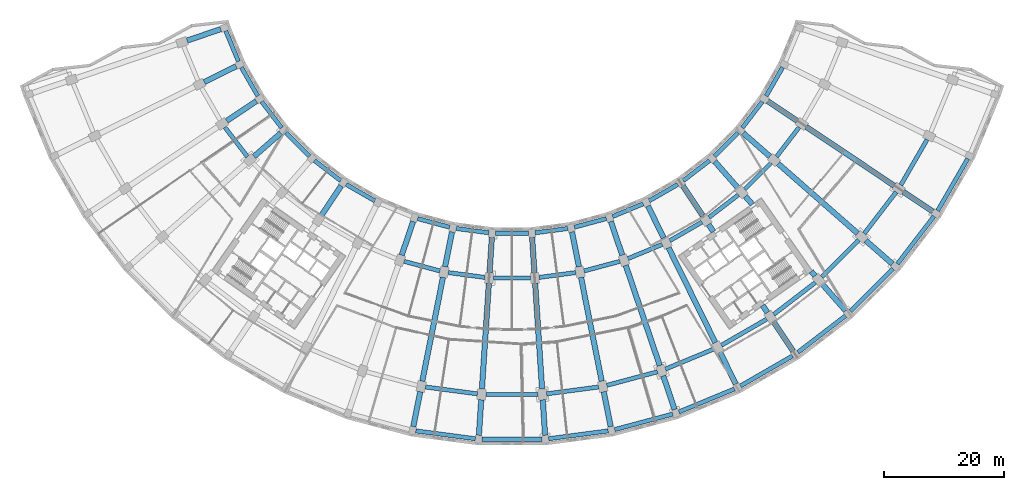
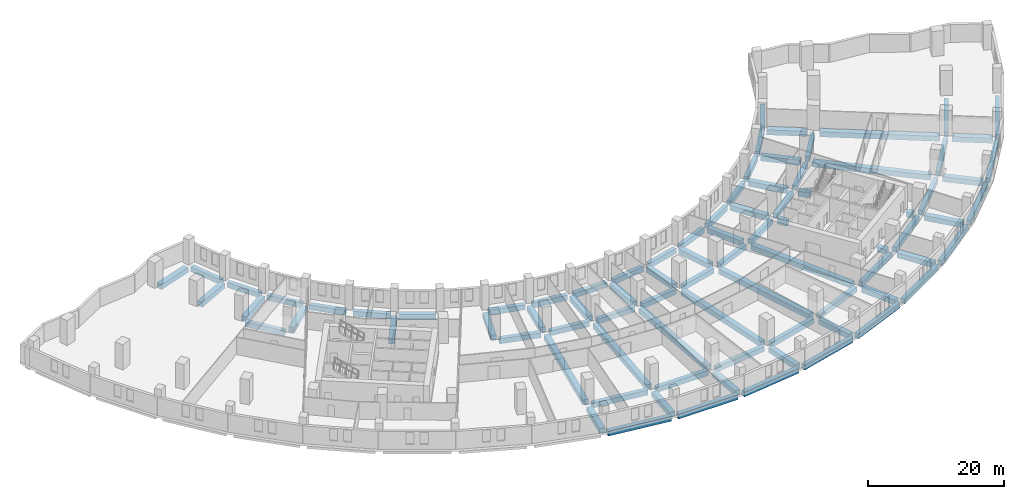
# One storey, part 2 of 19: 86 beams.
"""IFC4 building model written with IfcOpenShell, lengths in metres."""

from ifc_helpers import new_model, si_unit, direction, frame, origin, origin_2d, place, context, subcontext, project, spatial, rectangle, extrude, material, material_profile, profile_set, type_object, element, save


model = new_model("IFC4")

# Units and contexts
model_context = context("Model", 3, precision=1e-05, world=origin(), true_north=direction((0.0, 1.0)))
body_context = subcontext(model_context, "Body", "Model", "MODEL_VIEW")
ifc_project = project(units=[si_unit("LENGTHUNIT", "METRE"), si_unit("AREAUNIT", "SQUARE_METRE"), si_unit("VOLUMEUNIT", "CUBIC_METRE"), si_unit("PLANEANGLEUNIT", "RADIAN"), si_unit("MASSUNIT", "GRAM", prefix="KILO")], contexts=[model_context])

# Site, building, storey
site_placement = place(None, origin())
site = spatial("IfcSite", under=ifc_project, at=site_placement, CompositionType="ELEMENT")
building_placement = place(site_placement, origin())
building = spatial("IfcBuilding", under=site, at=building_placement, Name="Qamariyya Broadcast Tower", CompositionType="ELEMENT")
storey_placement = place(building_placement, frame((0.0, 0.0, 36.0)))
storey = spatial("IfcBuildingStorey", under=building, at=storey_placement, Name="L05", CompositionType="ELEMENT", Elevation=36.0)

# Beams
ifc_material = material(Name="Concrete C50/60", Category="concrete")
ifc_material_profile_1 = material_profile(ifc_material, rectangle(XDim=0.699951171875, YDim=0.89990234375, at=origin_2d()))
ifc_profile_set_1 = profile_set([ifc_material_profile_1], Name="Concrete C50/60")
beam_type_1 = type_object("IfcBeamType", Name="RC edge beam 700 x 900 C50/60", PredefinedType="SPANDREL", material=ifc_profile_set_1)
beam_1_placement = place(storey_placement, frame((-47.845703125, -16.822265625, -0.85009765625), z_axis=(0.382654292645, -0.92389160204, 0.0), x_axis=(0.92389160204, 0.382654292645, 0.0)))
element("IfcBeam", 1, at=beam_1_placement, inside=storey, type_object=beam_type_1, Name="Edge beam B2 L05 A R01-R02", PredefinedType="SPANDREL", context=body_context, shape_type="SweptSolid", body=[
    extrude(rectangle(XDim=0.699951171875, YDim=0.89990234375, at=origin_2d()), origin(), (0.0, 0.0, 1.0), 5.5361328125),
])
for number, where, z_axis, x_axis, name in (
    (2, (-45.24072265625, -22.923583984375, -0.85009765625), (0.500018944545, -0.86601446587, 0.0), (0.86601446587, 0.500018944545, 0.0), "Edge beam B2 L05 A R02-R03"),
    (3, (-41.861572265625, -28.632568359375, -0.85009765625), (0.60877682934, -0.793341522964, 0.0), (0.793341522964, 0.60877682934, 0.0), "Edge beam B2 L05 A R03-R04"),
):
    element("IfcBeam", number, at=place(storey_placement, frame(where, z_axis=z_axis, x_axis=x_axis)), inside=storey, type_object=beam_type_1, Name=name, PredefinedType="SPANDREL", context=body_context, shape_type="SweptSolid", body=[
        extrude(rectangle(XDim=0.699951171875, YDim=0.89990234375, at=origin_2d()), origin(), (0.0, 0.0, 1.0), 5.535888671875),
    ])
beam_2_placement = place(storey_placement, frame((-37.76611328125, -33.8515625, -0.85009765625), z_axis=(0.707106781187, -0.707106781187, 0.0), x_axis=(0.707106781187, 0.707106781187, 0.0)))
element("IfcBeam", 4, at=beam_2_placement, inside=storey, type_object=beam_type_1, Name="Edge beam B2 L05 A R04-R05", PredefinedType="SPANDREL", context=body_context, shape_type="SweptSolid", body=[
    extrude(rectangle(XDim=0.699951171875, YDim=0.89990234375, at=origin_2d()), origin(), (0.0, 0.0, 1.0), 5.5361328125),
])
for number, where, z_axis, x_axis, name in (
    (5, (-33.0244140625, -38.491455078125, -0.85009765625), (0.793341522964, -0.60877682934, 0.0), (0.60877682934, 0.793341522964, 0.0), "Edge beam B2 L05 A R05-R06"),
    (6, (-27.7177734375, -42.47265625, -0.85009765625), (0.86601446587, -0.500018944545, 0.0), (0.500018944545, 0.86601446587, 0.0), "Edge beam B2 L05 A R06-R07"),
    (7, (-15.78076171875, -48.199462890625, -0.85009765625), (0.965935650788, -0.25878237679, 0.0), (0.25878237679, 0.965935650788, 0.0), "Edge beam B2 L05 A R08-R09"),
    (8, (-9.354248046875, -49.8466796875, -0.85009765625), (0.991443033841, -0.130540072958, 0.0), (0.130540072958, 0.991443033841, 0.0), "Edge beam B2 L05 A R09-R10"),
):
    element("IfcBeam", number, at=place(storey_placement, frame(where, z_axis=z_axis, x_axis=x_axis)), inside=storey, type_object=beam_type_1, Name=name, PredefinedType="SPANDREL", context=body_context, shape_type="SweptSolid", body=[
        extrude(rectangle(XDim=0.699951171875, YDim=0.89990234375, at=origin_2d()), origin(), (0.0, 0.0, 1.0), 5.535888671875),
    ])
beam_3_placement = place(storey_placement, frame((-2.76806640625, -50.641357421875, -0.85009765625), z_axis=(1.0, 0.0, 0.0), x_axis=(0.0, 1.0, 0.0)))
element("IfcBeam", 9, at=beam_3_placement, inside=storey, type_object=beam_type_1, Name="Edge beam B2 L05 A R10-R11", PredefinedType="SPANDREL", context=body_context, shape_type="SweptSolid", body=[
    extrude(rectangle(XDim=0.699951171875, YDim=0.89990234375, at=origin_2d()), origin(), (0.0, 0.0, 1.0), 5.5361328125),
])
for number, where, z_axis, x_axis, name in (
    (10, (3.86572265625, -50.5693359375, -0.85009765625), (0.991443033841, 0.130540072958, 0.0), (-0.130540072958, 0.991443033841, 0.0), "Edge beam B2 L05 A R11-R12"),
    (11, (10.433349609375, -49.632080078125, -0.85009765625), (0.965935650788, 0.25878237679, 0.0), (-0.25878237679, 0.965935650788, 0.0), "Edge beam B2 L05 A R12-R13"),
):
    element("IfcBeam", number, at=place(storey_placement, frame(where, z_axis=z_axis, x_axis=x_axis)), inside=storey, type_object=beam_type_1, Name=name, PredefinedType="SPANDREL", context=body_context, shape_type="SweptSolid", body=[
        extrude(rectangle(XDim=0.699951171875, YDim=0.89990234375, at=origin_2d()), origin(), (0.0, 0.0, 1.0), 5.535888671875),
    ])
beam_4_placement = place(storey_placement, frame((16.822265625, -47.845703125, -0.85009765625), z_axis=(0.92389160204, 0.382654292645, 0.0), x_axis=(-0.382654292645, 0.92389160204, 0.0)))
element("IfcBeam", 12, at=beam_4_placement, inside=storey, type_object=beam_type_1, Name="Edge beam B2 L05 A R13-R14", PredefinedType="SPANDREL", context=body_context, shape_type="SweptSolid", body=[
    extrude(rectangle(XDim=0.699951171875, YDim=0.89990234375, at=origin_2d()), origin(), (0.0, 0.0, 1.0), 5.5361328125),
])
for number, where, z_axis, x_axis, name in (
    (13, (22.923583984375, -45.24072265625, -0.85009765625), (0.86601446587, 0.500018944545, 0.0), (-0.500018944545, 0.86601446587, 0.0), "Edge beam B2 L05 A R14-R15"),
    (14, (28.632568359375, -41.861572265625, -0.85009765625), (0.793341522964, 0.60877682934, 0.0), (-0.60877682934, 0.793341522964, 0.0), "Edge beam B2 L05 A R15-R16"),
):
    element("IfcBeam", number, at=place(storey_placement, frame(where, z_axis=z_axis, x_axis=x_axis)), inside=storey, type_object=beam_type_1, Name=name, PredefinedType="SPANDREL", context=body_context, shape_type="SweptSolid", body=[
        extrude(rectangle(XDim=0.699951171875, YDim=0.89990234375, at=origin_2d()), origin(), (0.0, 0.0, 1.0), 5.535888671875),
    ])
beam_5_placement = place(storey_placement, frame((33.8515625, -37.76611328125, -0.85009765625), z_axis=(0.707106781187, 0.707106781187, 0.0), x_axis=(-0.707106781187, 0.707106781187, 0.0)))
element("IfcBeam", 15, at=beam_5_placement, inside=storey, type_object=beam_type_1, Name="Edge beam B2 L05 A R16-R17", PredefinedType="SPANDREL", context=body_context, shape_type="SweptSolid", body=[
    extrude(rectangle(XDim=0.699951171875, YDim=0.89990234375, at=origin_2d()), origin(), (0.0, 0.0, 1.0), 5.5361328125),
])
for number, where, z_axis, x_axis, name in (
    (16, (38.491455078125, -33.0244140625, -0.85009765625), (0.60877682934, 0.793341522964, 0.0), (-0.793341522964, 0.60877682934, 0.0), "Edge beam B2 L05 A R17-R18"),
    (17, (42.47265625, -27.7177734375, -0.85009765625), (0.500018944545, 0.86601446587, 0.0), (-0.86601446587, 0.500018944545, 0.0), "Edge beam B2 L05 A R18-R19"),
):
    element("IfcBeam", number, at=place(storey_placement, frame(where, z_axis=z_axis, x_axis=x_axis)), inside=storey, type_object=beam_type_1, Name=name, PredefinedType="SPANDREL", context=body_context, shape_type="SweptSolid", body=[
        extrude(rectangle(XDim=0.699951171875, YDim=0.89990234375, at=origin_2d()), origin(), (0.0, 0.0, 1.0), 5.535888671875),
    ])
for number, where, z_axis, x_axis, name in (
    (18, (-48.006103515625, -32.91845703125, -0.85009765625), (0.608767052878, -0.793349024913, 0.0), (0.793349024913, 0.608767052878, 0.0), "Edge beam B2 L05 B R03-R04"),
    (19, (-18.046142578125, -55.34033203125, -0.85009765625), (0.965927891917, -0.258811335952, 0.0), (0.258811335952, 0.965927891917, 0.0), "Edge beam B2 L05 B R08-R09"),
    (20, (-10.66845703125, -57.222412109375, -0.85009765625), (0.991447744331, -0.130504292114, 0.0), (0.130504292114, 0.991447744331, 0.0), "Edge beam B2 L05 B R09-R10"),
):
    element("IfcBeam", number, at=place(storey_placement, frame(where, z_axis=z_axis, x_axis=x_axis)), inside=storey, type_object=beam_type_1, Name=name, PredefinedType="SPANDREL", context=body_context, shape_type="SweptSolid", body=[
        extrude(rectangle(XDim=0.699951171875, YDim=0.89990234375, at=origin_2d()), origin(), (0.0, 0.0, 1.0), 6.216552734375),
    ])
beam_6_placement = place(storey_placement, frame((-3.108154296875, -58.125244140625, -0.85009765625), z_axis=(1.0, 0.0, 0.0), x_axis=(0.0, 1.0, 0.0)))
element("IfcBeam", 21, at=beam_6_placement, inside=storey, type_object=beam_type_1, Name="Edge beam B2 L05 B R10-R11", PredefinedType="SPANDREL", context=body_context, shape_type="SweptSolid", body=[
    extrude(rectangle(XDim=0.699951171875, YDim=0.89990234375, at=origin_2d()), origin(), (0.0, 0.0, 1.0), 6.21630859375),
])
for number, where, z_axis, x_axis, name in (
    (22, (4.505126953125, -58.03369140625, -0.85009765625), (0.991447744331, 0.130504292114, 0.0), (-0.130504292114, 0.991447744331, 0.0), "Edge beam B2 L05 B R11-R12"),
    (23, (12.04150390625, -56.94921875, -0.85009765625), (0.965927891917, 0.258811335952, 0.0), (-0.258811335952, 0.965927891917, 0.0), "Edge beam B2 L05 B R12-R13"),
):
    element("IfcBeam", number, at=place(storey_placement, frame(where, z_axis=z_axis, x_axis=x_axis)), inside=storey, type_object=beam_type_1, Name=name, PredefinedType="SPANDREL", context=body_context, shape_type="SweptSolid", body=[
        extrude(rectangle(XDim=0.699951171875, YDim=0.89990234375, at=origin_2d()), origin(), (0.0, 0.0, 1.0), 6.216552734375),
    ])
for number, where, z_axis, x_axis, name in (
    (24, (19.3720703125, -54.89013671875, -0.85009765625), (0.92387897489, 0.38268477858, 0.0), (-0.38268477858, 0.92387897489, 0.0), "Edge beam B2 L05 B R13-R14"),
    (25, (26.370849609375, -51.89208984375, -0.85009765625), (0.86602796805, 0.499995558535, 0.0), (-0.499995558535, 0.86602796805, 0.0), "Edge beam B2 L05 B R14-R15"),
):
    element("IfcBeam", number, at=place(storey_placement, frame(where, z_axis=z_axis, x_axis=x_axis)), inside=storey, type_object=beam_type_1, Name=name, PredefinedType="SPANDREL", context=body_context, shape_type="SweptSolid", body=[
        extrude(rectangle(XDim=0.699951171875, YDim=0.89990234375, at=origin_2d()), origin(), (0.0, 0.0, 1.0), 6.21630859375),
    ])
for number, where, z_axis, x_axis, name in (
    (26, (32.91845703125, -48.006103515625, -0.85009765625), (0.793349024913, 0.608767052878, 0.0), (-0.608767052878, 0.793349024913, 0.0), "Edge beam B2 L05 B R15-R16"),
    (27, (38.90283203125, -43.298583984375, -0.85009765625), (0.707106781187, 0.707106781187, 0.0), (-0.707106781187, 0.707106781187, 0.0), "Edge beam B2 L05 B R16-R17"),
    (28, (44.2216796875, -37.850341796875, -0.85009765625), (0.608767052878, 0.793349024913, 0.0), (-0.793349024913, 0.608767052878, 0.0), "Edge beam B2 L05 B R17-R18"),
):
    element("IfcBeam", number, at=place(storey_placement, frame(where, z_axis=z_axis, x_axis=x_axis)), inside=storey, type_object=beam_type_1, Name=name, PredefinedType="SPANDREL", context=body_context, shape_type="SweptSolid", body=[
        extrude(rectangle(XDim=0.699951171875, YDim=0.89990234375, at=origin_2d()), origin(), (0.0, 0.0, 1.0), 6.216552734375),
    ])
for number, where, z_axis, x_axis, name in (
    (29, (-14.47265625, -76.34765625, -0.85009765625), (0.991445668121, -0.130520064222, 0.0), (0.130520064222, 0.991445668121, 0.0), "Edge beam B2 L05 C R09-R10"),
    (30, (-4.383544921875, -77.58349609375, -0.85009765625), (1.0, 0.0, 0.0), (0.0, 1.0, 0.0), "Edge beam B2 L05 C R10-R11"),
    (31, (5.780517578125, -77.491943359375, -0.85009765625), (0.991445668121, 0.130520064222, 0.0), (-0.130520064222, 0.991445668121, 0.0), "Edge beam B2 L05 C R11-R12"),
    (32, (15.845947265625, -76.074462890625, -0.85009765625), (0.965926422845, 0.258816818714, 0.0), (-0.258816818714, 0.965926422845, 0.0), "Edge beam B2 L05 C R12-R13"),
    (33, (25.64013671875, -73.35546875, -0.85009765625), (0.923869185896, 0.38270841035, 0.0), (-0.38270841035, 0.923869185896, 0.0), "Edge beam B2 L05 C R13-R14"),
):
    element("IfcBeam", number, at=place(storey_placement, frame(where, z_axis=z_axis, x_axis=x_axis)), inside=storey, type_object=beam_type_1, Name=name, PredefinedType="SPANDREL", context=body_context, shape_type="SweptSolid", body=[
        extrude(rectangle(XDim=0.699951171875, YDim=0.89990234375, at=origin_2d()), origin(), (0.0, 0.0, 1.0), 8.76708984375),
    ])
beam_7_placement = place(storey_placement, frame((34.995361328125, -69.381103515625, -0.85009765625), z_axis=(0.86603255856, 0.499987607361, 0.0), x_axis=(-0.499987607361, 0.86603255856, 0.0)))
element("IfcBeam", 34, at=beam_7_placement, inside=storey, type_object=beam_type_1, Name="Edge beam B2 L05 C R14-R15", PredefinedType="SPANDREL", context=body_context, shape_type="SweptSolid", body=[
    extrude(rectangle(XDim=0.699951171875, YDim=0.89990234375, at=origin_2d()), origin(), (0.0, 0.0, 1.0), 8.767333984375),
])
for number, where, z_axis, x_axis, name in (
    (35, (43.752197265625, -64.2197265625, -0.85009765625), (0.79334498231, 0.608772321187, 0.0), (-0.608772321187, 0.79334498231, 0.0), "Edge beam B2 L05 C R15-R16"),
    (36, (51.76025390625, -57.95947265625, -0.85009765625), (0.707106781187, 0.707106781187, 0.0), (-0.707106781187, 0.707106781187, 0.0), "Edge beam B2 L05 C R16-R17"),
    (37, (58.882568359375, -50.70751953125, -0.85009765625), (0.608772321187, 0.79334498231, 0.0), (-0.79334498231, 0.608772321187, 0.0), "Edge beam B2 L05 C R17-R18"),
):
    element("IfcBeam", number, at=place(storey_placement, frame(where, z_axis=z_axis, x_axis=x_axis)), inside=storey, type_object=beam_type_1, Name=name, PredefinedType="SPANDREL", context=body_context, shape_type="SweptSolid", body=[
        extrude(rectangle(XDim=0.699951171875, YDim=0.89990234375, at=origin_2d()), origin(), (0.0, 0.0, 1.0), 8.76708984375),
    ])
beam_8_placement = place(storey_placement, frame((64.99755859375, -42.588134765625, -0.85009765625), z_axis=(0.499987607361, 0.86603255856, 0.0), x_axis=(-0.86603255856, 0.499987607361, 0.0)))
element("IfcBeam", 38, at=beam_8_placement, inside=storey, type_object=beam_type_1, Name="Edge beam B2 L05 C R18-R19", PredefinedType="SPANDREL", context=body_context, shape_type="SweptSolid", body=[
    extrude(rectangle(XDim=0.699951171875, YDim=0.89990234375, at=origin_2d()), origin(), (0.0, 0.0, 1.0), 8.767333984375),
])
for number, where, z_axis, x_axis, name in (
    (39, (-16.0849609375, -83.683837890625, -0.85009765625), (0.991443211053, -0.130538727039, 0.0), (0.130538727039, 0.991443211053, 0.0), "Edge beam B2 L05 D R09-R10"),
    (40, (-5.0244140625, -85.0673828125, -0.85009765625), (1.0, 0.0, 0.0), (0.0, 1.0, 0.0), "Edge beam B2 L05 D R10-R11"),
    (41, (6.1220703125, -84.99560546875, -0.85009765625), (0.991443211053, 0.130538727039, 0.0), (-0.130538727039, 0.991443211053, 0.0), "Edge beam B2 L05 D R11-R12"),
    (42, (17.163818359375, -83.46923828125, -0.85009765625), (0.96592657939, 0.258816234475, 0.0), (-0.258816234475, 0.96592657939, 0.0), "Edge beam B2 L05 D R12-R13"),
    (43, (27.911865234375, -80.514892578125, -0.85009765625), (0.923882101991, 0.382677229034, 0.0), (-0.382677229034, 0.923882101991, 0.0), "Edge beam B2 L05 D R13-R14"),
    (44, (38.182373046875, -76.182861328125, -0.85009765625), (0.866027799164, 0.499995851058, 0.0), (-0.499995851058, 0.866027799164, 0.0), "Edge beam B2 L05 D R14-R15"),
):
    element("IfcBeam", number, at=place(storey_placement, frame(where, z_axis=z_axis, x_axis=x_axis)), inside=storey, type_object=beam_type_1, Name=name, PredefinedType="SPANDREL", context=body_context, shape_type="SweptSolid", body=[
        extrude(rectangle(XDim=0.699951171875, YDim=0.89990234375, at=origin_2d()), origin(), (0.0, 0.0, 1.0), 10.048828125),
    ])
for number, where, z_axis, x_axis, name in (
    (45, (47.799560546875, -70.54736328125, -0.85009765625), (0.793354077072, 0.608760468816, 0.0), (-0.608760468816, 0.793354077072, 0.0), "Edge beam B2 L05 D R15-R16"),
    (46, (56.598876953125, -63.70458984375, -0.85009765625), (0.707106781187, 0.707106781187, 0.0), (-0.707106781187, 0.707106781187, 0.0), "Edge beam B2 L05 D R16-R17"),
    (47, (64.429931640625, -55.77197265625, -0.85009765625), (0.608760468816, 0.793354077072, 0.0), (-0.793354077072, 0.608760468816, 0.0), "Edge beam B2 L05 D R17-R18"),
):
    element("IfcBeam", number, at=place(storey_placement, frame(where, z_axis=z_axis, x_axis=x_axis)), inside=storey, type_object=beam_type_1, Name=name, PredefinedType="SPANDREL", context=body_context, shape_type="SweptSolid", body=[
        extrude(rectangle(XDim=0.699951171875, YDim=0.89990234375, at=origin_2d()), origin(), (0.0, 0.0, 1.0), 10.049072265625),
    ])
beam_9_placement = place(storey_placement, frame((71.158447265625, -46.885009765625, -0.85009765625), z_axis=(0.499995851058, 0.866027799164, 0.0), x_axis=(-0.866027799164, 0.499995851058, 0.0)))
element("IfcBeam", 48, at=beam_9_placement, inside=storey, type_object=beam_type_1, Name="Edge beam B2 L05 D R18-R19", PredefinedType="SPANDREL", context=body_context, shape_type="SweptSolid", body=[
    extrude(rectangle(XDim=0.699951171875, YDim=0.89990234375, at=origin_2d()), origin(), (0.0, 0.0, 1.0), 10.048828125),
])
ifc_material_profile_2 = material_profile(ifc_material, rectangle(XDim=0.89990234375, YDim=0.89990234375, at=origin_2d()))
ifc_profile_set_2 = profile_set([ifc_material_profile_2], Name="Concrete C50/60")
beam_type_2 = type_object("IfcBeamType", Name="RC radial beam 900 x 900 C50/60", PredefinedType="BEAM", material=ifc_profile_set_2)
beam_10_placement = place(storey_placement, frame((-48.672119140625, -16.52197265625, -0.85009765625), z_axis=(-0.946929197619, -0.32144221051, 0.0), x_axis=(0.32144221051, -0.946929197619, 0.0)))
element("IfcBeam", 49, at=beam_10_placement, inside=storey, type_object=beam_type_2, Name="Radial beam B1 L05 R01 A-B", PredefinedType="BEAM", context=body_context, shape_type="SweptSolid", body=[
    extrude(rectangle(XDim=0.89990234375, YDim=0.89990234375, at=origin_2d()), origin(), (0.0, 0.0, 1.0), 5.949951171875),
])
beam_11_placement = place(storey_placement, frame((-46.099365234375, -22.733642578125, -0.85009765625), z_axis=(-0.896867525941, -0.442299266236, 0.0), x_axis=(0.442299266236, -0.896867525941, 0.0)))
element("IfcBeam", 50, at=beam_11_placement, inside=storey, type_object=beam_type_2, Name="Radial beam B1 L05 R02 A-B", PredefinedType="BEAM", context=body_context, shape_type="SweptSolid", body=[
    extrude(rectangle(XDim=0.89990234375, YDim=0.89990234375, at=origin_2d()), origin(), (0.0, 0.0, 1.0), 5.94970703125),
])
for number, where, z_axis, x_axis, name in (
    (51, (-42.737548828125, -28.556396484375, -0.85009765625), (-0.831469080044, -0.555571029599, 0.0), (0.555571029599, -0.831469080044, 0.0), "Radial beam B1 L05 R03 A-B"),
    (52, (-38.64453125, -33.890380859375, -0.85009765625), (-0.751836547498, -0.659349532377, 0.0), (0.659349532377, -0.751836547498, 0.0), "Radial beam B1 L05 R04 A-B"),
    (53, (-28.556396484375, -42.737548828125, -0.85009765625), (-0.555571029599, -0.831469080044, 0.0), (0.831469080044, -0.555571029599, 0.0), "Radial beam B1 L05 R06 A-B"),
    (54, (-16.52197265625, -48.672119140625, -0.85009765625), (-0.32144221051, -0.946929197619, 0.0), (0.946929197619, -0.32144221051, 0.0), "Radial beam B1 L05 R08 A-B"),
    (55, (-10.027587890625, -50.412353515625, -0.85009765625), (-0.195106018553, -0.980782158037, 0.0), (0.980782158037, -0.195106018553, 0.0), "Radial beam B1 L05 R09 A-B"),
):
    element("IfcBeam", number, at=place(storey_placement, frame(where, z_axis=z_axis, x_axis=x_axis)), inside=storey, type_object=beam_type_2, Name=name, PredefinedType="BEAM", context=body_context, shape_type="SweptSolid", body=[
        extrude(rectangle(XDim=0.89990234375, YDim=0.89990234375, at=origin_2d()), origin(), (0.0, 0.0, 1.0), 5.949951171875),
    ])
beam_12_placement = place(storey_placement, frame((-11.53955078125, -58.013427734375, -0.85009765625), z_axis=(-0.195092142495, -0.980784918286, 0.0), x_axis=(0.980784918286, -0.195092142495, 0.0)))
element("IfcBeam", 56, at=beam_12_placement, inside=storey, type_object=beam_type_2, Name="Radial beam B1 L05 R09 B-C", PredefinedType="BEAM", context=body_context, shape_type="SweptSolid", body=[
    extrude(rectangle(XDim=0.89990234375, YDim=0.89990234375, at=origin_2d()), origin(), (0.0, 0.0, 1.0), 17.699951171875),
])
for number, where, z_axis, x_axis, name in (
    (57, (-15.34375, -77.138671875, -0.85009765625), (-0.195106018553, -0.980782158037, 0.0), (0.980782158037, -0.195106018553, 0.0), "Radial beam B1 L05 R09 C-D"),
    (58, (-3.36181640625, -51.2900390625, -0.85009765625), (-0.065405111908, -0.997858793285, 0.0), (0.997858793285, -0.065405111908, 0.0), "Radial beam B1 L05 R10 A-B"),
):
    element("IfcBeam", number, at=place(storey_placement, frame(where, z_axis=z_axis, x_axis=x_axis)), inside=storey, type_object=beam_type_2, Name=name, PredefinedType="BEAM", context=body_context, shape_type="SweptSolid", body=[
        extrude(rectangle(XDim=0.89990234375, YDim=0.89990234375, at=origin_2d()), origin(), (0.0, 0.0, 1.0), 5.949951171875),
    ])
beam_13_placement = place(storey_placement, frame((-3.86865234375, -59.0234375, -0.85009765625), z_axis=(-0.065393841107, -0.997859531971, 0.0), x_axis=(0.997859531971, -0.065393841107, 0.0)))
element("IfcBeam", 59, at=beam_13_placement, inside=storey, type_object=beam_type_2, Name="Radial beam B1 L05 R10 B-C", PredefinedType="BEAM", context=body_context, shape_type="SweptSolid", body=[
    extrude(rectangle(XDim=0.89990234375, YDim=0.89990234375, at=origin_2d()), origin(), (0.0, 0.0, 1.0), 17.699951171875),
])
for number, where, z_axis, x_axis, name in (
    (60, (-5.14404296875, -78.481689453125, -0.85009765625), (-0.065405111908, -0.997858793285, 0.0), (0.997858793285, -0.065405111908, 0.0), "Radial beam B1 L05 R10 C-D"),
    (61, (3.36181640625, -51.2900390625, -0.85009765625), (0.065405111908, -0.997858793285, 0.0), (0.997858793285, 0.065405111908, 0.0), "Radial beam B1 L05 R11 A-B"),
):
    element("IfcBeam", number, at=place(storey_placement, frame(where, z_axis=z_axis, x_axis=x_axis)), inside=storey, type_object=beam_type_2, Name=name, PredefinedType="BEAM", context=body_context, shape_type="SweptSolid", body=[
        extrude(rectangle(XDim=0.89990234375, YDim=0.89990234375, at=origin_2d()), origin(), (0.0, 0.0, 1.0), 5.949951171875),
    ])
beam_14_placement = place(storey_placement, frame((3.86865234375, -59.0234375, -0.85009765625), z_axis=(0.065393841107, -0.997859531971, 0.0), x_axis=(0.997859531971, 0.065393841107, 0.0)))
element("IfcBeam", 62, at=beam_14_placement, inside=storey, type_object=beam_type_2, Name="Radial beam B1 L05 R11 B-C", PredefinedType="BEAM", context=body_context, shape_type="SweptSolid", body=[
    extrude(rectangle(XDim=0.89990234375, YDim=0.89990234375, at=origin_2d()), origin(), (0.0, 0.0, 1.0), 17.699951171875),
])
for number, where, z_axis, x_axis, name in (
    (63, (5.14404296875, -78.481689453125, -0.85009765625), (0.065405111908, -0.997858793285, 0.0), (0.997858793285, 0.065405111908, 0.0), "Radial beam B1 L05 R11 C-D"),
    (64, (10.027587890625, -50.412353515625, -0.85009765625), (0.195106018553, -0.980782158037, 0.0), (0.980782158037, 0.195106018553, 0.0), "Radial beam B1 L05 R12 A-B"),
):
    element("IfcBeam", number, at=place(storey_placement, frame(where, z_axis=z_axis, x_axis=x_axis)), inside=storey, type_object=beam_type_2, Name=name, PredefinedType="BEAM", context=body_context, shape_type="SweptSolid", body=[
        extrude(rectangle(XDim=0.89990234375, YDim=0.89990234375, at=origin_2d()), origin(), (0.0, 0.0, 1.0), 5.949951171875),
    ])
beam_15_placement = place(storey_placement, frame((11.53955078125, -58.013427734375, -0.85009765625), z_axis=(0.195092142495, -0.980784918286, 0.0), x_axis=(0.980784918286, 0.195092142495, 0.0)))
element("IfcBeam", 65, at=beam_15_placement, inside=storey, type_object=beam_type_2, Name="Radial beam B1 L05 R12 B-C", PredefinedType="BEAM", context=body_context, shape_type="SweptSolid", body=[
    extrude(rectangle(XDim=0.89990234375, YDim=0.89990234375, at=origin_2d()), origin(), (0.0, 0.0, 1.0), 17.699951171875),
])
for number, where, z_axis, x_axis, name in (
    (66, (15.34375, -77.138671875, -0.85009765625), (0.195106018553, -0.980782158037, 0.0), (0.980782158037, 0.195106018553, 0.0), "Radial beam B1 L05 R12 C-D"),
    (67, (16.52197265625, -48.672119140625, -0.85009765625), (0.32144221051, -0.946929197619, 0.0), (0.946929197619, 0.32144221051, 0.0), "Radial beam B1 L05 R13 A-B"),
):
    element("IfcBeam", number, at=place(storey_placement, frame(where, z_axis=z_axis, x_axis=x_axis)), inside=storey, type_object=beam_type_2, Name=name, PredefinedType="BEAM", context=body_context, shape_type="SweptSolid", body=[
        extrude(rectangle(XDim=0.89990234375, YDim=0.89990234375, at=origin_2d()), origin(), (0.0, 0.0, 1.0), 5.949951171875),
    ])
beam_16_placement = place(storey_placement, frame((19.01318359375, -56.010986328125, -0.85009765625), z_axis=(0.321441019674, -0.946929601856, 0.0), x_axis=(0.946929601856, 0.321441019674, 0.0)))
element("IfcBeam", 68, at=beam_16_placement, inside=storey, type_object=beam_type_2, Name="Radial beam B1 L05 R13 B-C", PredefinedType="BEAM", context=body_context, shape_type="SweptSolid", body=[
    extrude(rectangle(XDim=0.89990234375, YDim=0.89990234375, at=origin_2d()), origin(), (0.0, 0.0, 1.0), 17.699951171875),
])
beam_17_placement = place(storey_placement, frame((25.28125, -74.47607421875, -0.85009765625), z_axis=(0.32144221051, -0.946929197619, 0.0), x_axis=(0.946929197619, 0.32144221051, 0.0)))
element("IfcBeam", 69, at=beam_17_placement, inside=storey, type_object=beam_type_2, Name="Radial beam B1 L05 R13 C-D", PredefinedType="BEAM", context=body_context, shape_type="SweptSolid", body=[
    extrude(rectangle(XDim=0.89990234375, YDim=0.89990234375, at=origin_2d()), origin(), (0.0, 0.0, 1.0), 5.949951171875),
])
beam_18_placement = place(storey_placement, frame((22.733642578125, -46.099365234375, -0.85009765625), z_axis=(0.442299266236, -0.896867525941, 0.0), x_axis=(0.896867525941, 0.442299266236, 0.0)))
element("IfcBeam", 70, at=beam_18_placement, inside=storey, type_object=beam_type_2, Name="Radial beam B1 L05 R14 A-B", PredefinedType="BEAM", context=body_context, shape_type="SweptSolid", body=[
    extrude(rectangle(XDim=0.89990234375, YDim=0.89990234375, at=origin_2d()), origin(), (0.0, 0.0, 1.0), 5.94970703125),
])
beam_19_placement = place(storey_placement, frame((26.161376953125, -53.050048828125, -0.85009765625), z_axis=(0.442296435771, -0.896868921808, 0.0), x_axis=(0.896868921808, 0.442296435771, 0.0)))
element("IfcBeam", 71, at=beam_19_placement, inside=storey, type_object=beam_type_2, Name="Radial beam B1 L05 R14 B-C", PredefinedType="BEAM", context=body_context, shape_type="SweptSolid", body=[
    extrude(rectangle(XDim=0.89990234375, YDim=0.89990234375, at=origin_2d()), origin(), (0.0, 0.0, 1.0), 17.699951171875),
])
beam_20_placement = place(storey_placement, frame((34.785888671875, -70.5390625, -0.85009765625), z_axis=(0.442315994054, -0.896859276255, 0.0), x_axis=(0.896859276255, 0.442315994054, 0.0)))
element("IfcBeam", 72, at=beam_20_placement, inside=storey, type_object=beam_type_2, Name="Radial beam B1 L05 R14 C-D", PredefinedType="BEAM", context=body_context, shape_type="SweptSolid", body=[
    extrude(rectangle(XDim=0.89990234375, YDim=0.89990234375, at=origin_2d()), origin(), (0.0, 0.0, 1.0), 5.9501953125),
])
beam_21_placement = place(storey_placement, frame((28.556396484375, -42.737548828125, -0.85009765625), z_axis=(0.555571029599, -0.831469080044, 0.0), x_axis=(0.831469080044, 0.555571029599, 0.0)))
element("IfcBeam", 73, at=beam_21_placement, inside=storey, type_object=beam_type_2, Name="Radial beam B1 L05 R15 A-B", PredefinedType="BEAM", context=body_context, shape_type="SweptSolid", body=[
    extrude(rectangle(XDim=0.89990234375, YDim=0.89990234375, at=origin_2d()), origin(), (0.0, 0.0, 1.0), 5.949951171875),
])
beam_22_placement = place(storey_placement, frame((32.862060546875, -49.181396484375, -0.85009765625), z_axis=(0.555469378272, -0.831536992443, 0.0), x_axis=(0.831536992443, 0.555469378272, 0.0)))
element("IfcBeam", 74, at=beam_22_placement, inside=storey, type_object=beam_type_2, Name="Radial beam B1 L05 R15 B-C", PredefinedType="BEAM", context=body_context, shape_type="SweptSolid", body=[
    extrude(rectangle(XDim=0.89990234375, YDim=0.89990234375, at=origin_2d()), origin(), (0.0, 0.0, 1.0), 1.464599609375),
])
beam_23_placement = place(storey_placement, frame((41.89990234375, -62.707763671875, -0.85009765625), z_axis=(0.555604740558, -0.831446554067, 0.0), x_axis=(0.831446554067, 0.555604740558, 0.0)))
element("IfcBeam", 75, at=beam_23_placement, inside=storey, type_object=beam_type_2, Name="Radial beam B1 L05 R15 B-C", PredefinedType="BEAM", context=body_context, shape_type="SweptSolid", body=[
    extrude(rectangle(XDim=0.89990234375, YDim=0.89990234375, at=origin_2d()), origin(), (0.0, 0.0, 1.0), 1.43212890625),
])
for number, where, z_axis, x_axis, name in (
    (76, (43.695556640625, -65.39501953125, -0.85009765625), (0.555571029599, -0.831469080044, 0.0), (0.831469080044, 0.555571029599, 0.0), "Radial beam B1 L05 R15 C-D"),
    (77, (33.890380859375, -38.64453125, -0.85009765625), (0.659349532377, -0.751836547498, 0.0), (0.751836547498, 0.659349532377, 0.0), "Radial beam B1 L05 R16 A-B"),
):
    element("IfcBeam", number, at=place(storey_placement, frame(where, z_axis=z_axis, x_axis=x_axis)), inside=storey, type_object=beam_type_2, Name=name, PredefinedType="BEAM", context=body_context, shape_type="SweptSolid", body=[
        extrude(rectangle(XDim=0.89990234375, YDim=0.89990234375, at=origin_2d()), origin(), (0.0, 0.0, 1.0), 5.949951171875),
    ])
beam_24_placement = place(storey_placement, frame((39.000244140625, -44.471435546875, -0.85009765625), z_axis=(0.65939107141, -0.751800116351, 0.0), x_axis=(0.751800116351, 0.65939107141, 0.0)))
element("IfcBeam", 78, at=beam_24_placement, inside=storey, type_object=beam_type_2, Name="Radial beam B1 L05 R16 B-C", PredefinedType="BEAM", context=body_context, shape_type="SweptSolid", body=[
    extrude(rectangle(XDim=0.89990234375, YDim=0.89990234375, at=origin_2d()), origin(), (0.0, 0.0, 1.0), 1.8125),
])
beam_25_placement = place(storey_placement, frame((50.011962890625, -57.027587890625, -0.85009765625), z_axis=(0.659282746956, -0.751895112077, 0.0), x_axis=(0.751895112077, 0.659282746956, 0.0)))
element("IfcBeam", 79, at=beam_25_placement, inside=storey, type_object=beam_type_2, Name="Radial beam B1 L05 R16 B-C", PredefinedType="BEAM", context=body_context, shape_type="SweptSolid", body=[
    extrude(rectangle(XDim=0.89990234375, YDim=0.89990234375, at=origin_2d()), origin(), (0.0, 0.0, 1.0), 0.9990234375),
])
beam_26_placement = place(storey_placement, frame((51.857666015625, -59.132080078125, -0.85009765625), z_axis=(0.659329192059, -0.75185438517, 0.0), x_axis=(0.75185438517, 0.659329192059, 0.0)))
element("IfcBeam", 80, at=beam_26_placement, inside=storey, type_object=beam_type_2, Name="Radial beam B1 L05 R16 C-D", PredefinedType="BEAM", context=body_context, shape_type="SweptSolid", body=[
    extrude(rectangle(XDim=0.89990234375, YDim=0.89990234375, at=origin_2d()), origin(), (0.0, 0.0, 1.0), 5.9501953125),
])
beam_27_placement = place(storey_placement, frame((38.64453125, -33.890380859375, -0.85009765625), z_axis=(0.751836547498, -0.659349532377, 0.0), x_axis=(0.659349532377, 0.751836547498, 0.0)))
element("IfcBeam", 81, at=beam_27_placement, inside=storey, type_object=beam_type_2, Name="Radial beam B1 L05 R17 A-B", PredefinedType="BEAM", context=body_context, shape_type="SweptSolid", body=[
    extrude(rectangle(XDim=0.89990234375, YDim=0.89990234375, at=origin_2d()), origin(), (0.0, 0.0, 1.0), 5.949951171875),
])
beam_28_placement = place(storey_placement, frame((44.471435546875, -39.000244140625, -0.85009765625), z_axis=(0.751835404461, -0.659350835746, 0.0), x_axis=(0.659350835746, 0.751835404461, 0.0)))
element("IfcBeam", 82, at=beam_28_placement, inside=storey, type_object=beam_type_2, Name="Radial beam B1 L05 R17 B-C", PredefinedType="BEAM", context=body_context, shape_type="SweptSolid", body=[
    extrude(rectangle(XDim=0.89990234375, YDim=0.89990234375, at=origin_2d()), origin(), (0.0, 0.0, 1.0), 17.699951171875),
])
beam_29_placement = place(storey_placement, frame((59.132080078125, -51.857666015625, -0.85009765625), z_axis=(0.75185438517, -0.659329192059, 0.0), x_axis=(0.659329192059, 0.75185438517, 0.0)))
element("IfcBeam", 83, at=beam_29_placement, inside=storey, type_object=beam_type_2, Name="Radial beam B1 L05 R17 C-D", PredefinedType="BEAM", context=body_context, shape_type="SweptSolid", body=[
    extrude(rectangle(XDim=0.89990234375, YDim=0.89990234375, at=origin_2d()), origin(), (0.0, 0.0, 1.0), 5.9501953125),
])
beam_30_placement = place(storey_placement, frame((42.737548828125, -28.556396484375, -0.85009765625), z_axis=(0.831469080044, -0.555571029599, 0.0), x_axis=(0.555571029599, 0.831469080044, 0.0)))
element("IfcBeam", 84, at=beam_30_placement, inside=storey, type_object=beam_type_2, Name="Radial beam B1 L05 R18 A-B", PredefinedType="BEAM", context=body_context, shape_type="SweptSolid", body=[
    extrude(rectangle(XDim=0.89990234375, YDim=0.89990234375, at=origin_2d()), origin(), (0.0, 0.0, 1.0), 5.949951171875),
])
beam_31_placement = place(storey_placement, frame((49.181396484375, -32.862060546875, -0.85009765625), z_axis=(0.831472648212, -0.555565689433, 0.0), x_axis=(0.555565689433, 0.831472648212, 0.0)))
element("IfcBeam", 85, at=beam_31_placement, inside=storey, type_object=beam_type_2, Name="Radial beam B1 L05 R18 B-C", PredefinedType="BEAM", context=body_context, shape_type="SweptSolid", body=[
    extrude(rectangle(XDim=0.89990234375, YDim=0.89990234375, at=origin_2d()), origin(), (0.0, 0.0, 1.0), 17.699951171875),
])
beam_32_placement = place(storey_placement, frame((65.39501953125, -43.695556640625, -0.85009765625), z_axis=(0.831469080044, -0.555571029599, 0.0), x_axis=(0.555571029599, 0.831469080044, 0.0)))
element("IfcBeam", 86, at=beam_32_placement, inside=storey, type_object=beam_type_2, Name="Radial beam B1 L05 R18 C-D", PredefinedType="BEAM", context=body_context, shape_type="SweptSolid", body=[
    extrude(rectangle(XDim=0.89990234375, YDim=0.89990234375, at=origin_2d()), origin(), (0.0, 0.0, 1.0), 5.949951171875),
])

save(model, "model.ifc")
